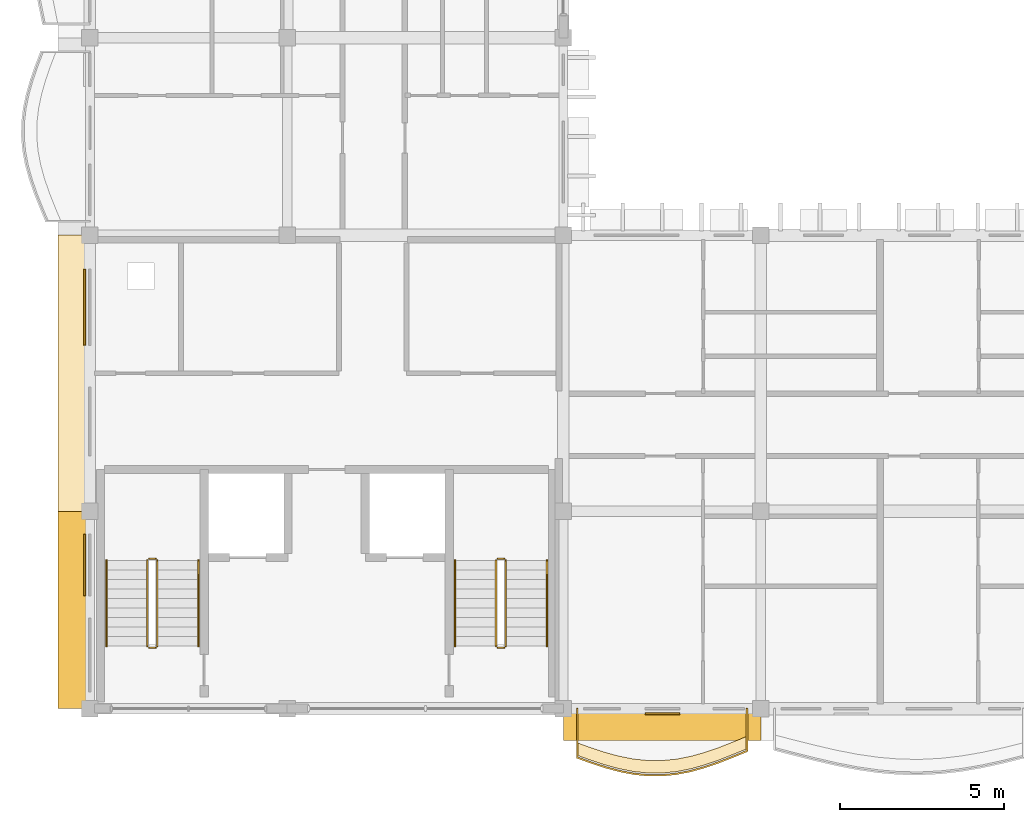
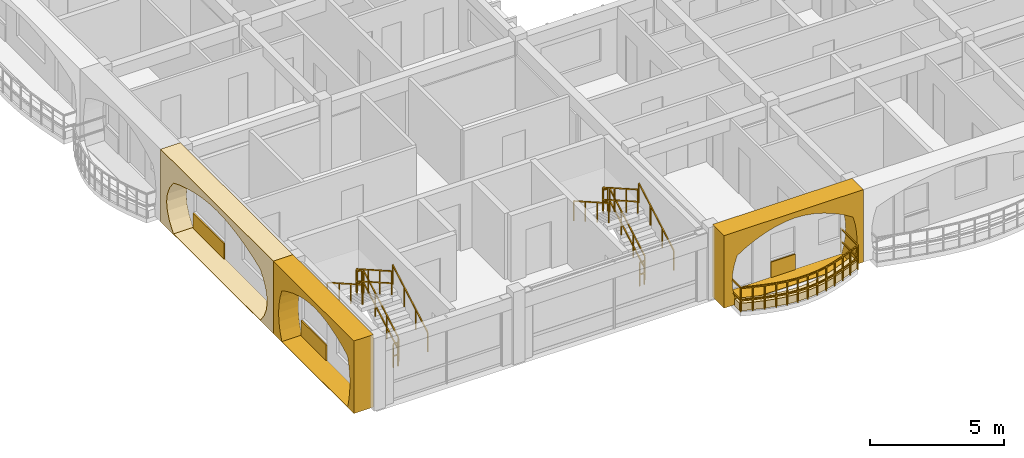
# One storey, part 47 of 68: 13 railings, 7 coverings.
"""IFC4 building model written with IfcOpenShell, lengths in metres."""

import ifcopenshell
import ifcopenshell.guid

model = None  # the IFC model being written
_history = None  # IfcOwnerHistory: only IFC2X3 demands one
_inside = {}  # id of a spatial element -> (the spatial element, [elements in it])
_under = {}  # id of a project, library or spatial element -> (it, [spatial elements below it])
_declared = {}  # id of a project -> (the project, [libraries it declares])
_typed = {}  # id of a type object -> (the type object, [elements of that type])
_made_of = {}  # id of a material, layer set ... -> (it, [elements and type objects made of it])


def new_model(schema):
    """Start an empty IFC model of exactly this schema.

    Asked for "IFC4X3", IfcOpenShell would pick the latest addendum, in which some entities
    have other attributes; the version numbers below select the first issue.
    IFC2X3 requires an IfcOwnerHistory on every rooted entity: one is made here for all.
    """
    global model, _history
    if schema == "IFC4X3":
        model = ifcopenshell.file(schema_version=(4, 3, 0, 0))
    else:
        model = ifcopenshell.file(schema=schema)
    _inside.clear()
    _under.clear()
    _declared.clear()
    _typed.clear()
    _made_of.clear()
    _history = None
    if model.schema == "IFC2X3":
        org = make("IfcOrganization", Name="unknown")
        user = make(
            "IfcPersonAndOrganization",
            ThePerson=make("IfcPerson", FamilyName="unknown"),
            TheOrganization=org,
        )
        app = make(
            "IfcApplication",
            ApplicationDeveloper=org,
            Version="unknown",
            ApplicationFullName="unknown",
            ApplicationIdentifier="unknown",
        )
        _history = make(
            "IfcOwnerHistory",
            OwningUser=user,
            OwningApplication=app,
            ChangeAction="ADDED",
            CreationDate=0,
        )
    return model


def make(cls, **values):
    """One entity of the class cls with the attributes given. An attribute that is None is left unset."""
    return model.create_entity(
        cls, **{name: value for name, value in values.items() if value is not None}
    )


def rooted(cls, **values):
    """An entity with a GlobalId (a new one), such as an element, a storey or a relation."""
    return make(cls, GlobalId=ifcopenshell.guid.new(), OwnerHistory=_history, **values)


def si_unit(unit_type, name, prefix=None):
    """IfcSIUnit, for example si_unit("LENGTHUNIT", "METRE", prefix="MILLI")."""
    return make("IfcSIUnit", UnitType=unit_type, Prefix=prefix, Name=name)


def assignment(units):
    """IfcUnitAssignment: the units of a project."""
    return None if units is None else make("IfcUnitAssignment", Units=units)


def point(xyz):
    """IfcCartesianPoint."""
    return None if xyz is None else make("IfcCartesianPoint", Coordinates=xyz)


def direction(xyz):
    """IfcDirection."""
    return None if xyz is None else make("IfcDirection", DirectionRatios=xyz)


def frame(location, z_axis=None, x_axis=None):
    """IfcAxis2Placement3D, a coordinate frame: its origin and axes. An axis left out is left unset."""
    return make(
        "IfcAxis2Placement3D",
        Location=point(location),
        Axis=direction(z_axis),
        RefDirection=direction(x_axis),
    )


def frame_2d(location, x_axis=None):
    """IfcAxis2Placement2D, a coordinate frame in the plane: its origin and x axis."""
    return make(
        "IfcAxis2Placement2D", Location=point(location), RefDirection=direction(x_axis)
    )


def origin():
    """The frame at (0, 0, 0) with its axes left unset."""
    return frame((0.0, 0.0, 0.0))


def origin_2d():
    """The frame at (0, 0) in the plane with its x axis left unset."""
    return frame_2d((0.0, 0.0))


def place(relative_to, where):
    """IfcLocalPlacement: puts the frame where relative to a parent placement (None: the world)."""
    return make(
        "IfcLocalPlacement", PlacementRelTo=relative_to, RelativePlacement=where
    )


def context(
    kind, dimensions, precision=None, world=None, true_north=None, identifier=None
):
    """IfcGeometricRepresentationContext, for example the 3D "Model" context."""
    return make(
        "IfcGeometricRepresentationContext",
        ContextIdentifier=identifier,
        ContextType=kind,
        CoordinateSpaceDimension=dimensions,
        Precision=precision,
        WorldCoordinateSystem=world,
        TrueNorth=true_north,
    )


def subcontext(parent, identifier, kind, view, scale=None):
    """IfcGeometricRepresentationSubContext, for example "Body" below "Model"."""
    return make(
        "IfcGeometricRepresentationSubContext",
        ContextIdentifier=identifier,
        ContextType=kind,
        ParentContext=parent,
        TargetScale=scale,
        TargetView=view,
    )


def project(units=None, contexts=None):
    """IfcProject with its units and contexts."""
    return rooted(
        "IfcProject",
        Name="project",
        RepresentationContexts=contexts,
        UnitsInContext=assignment(units),
    )


def spatial(cls, under=None, at=None, **own):
    """A site, building, storey or space (cls), placed at a placement, below another one or the project."""
    s = rooted(cls, ObjectPlacement=at, **own)
    if under is not None:
        _under.setdefault(under.id(), (under, []))[1].append(s)
    return s


def polyline(points):
    """IfcPolyline through the points."""
    return make("IfcPolyline", Points=[point(p) for p in points])


def profile(cls, at=None, kind="AREA", **sizes):
    """A parametric profile (cls). Its sizes go by their IFC names, for example OverallWidth=200.0."""
    return make(cls, ProfileType=kind, Position=at, **sizes)


def rectangle(**sizes):
    """IfcRectangleProfileDef."""
    return profile("IfcRectangleProfileDef", **sizes)


def outline(outer, holes=None, kind="AREA"):
    """IfcArbitraryClosedProfileDef: a profile drawn as a closed curve; with holes, ...WithVoids."""
    if holes is None:
        return make("IfcArbitraryClosedProfileDef", ProfileType=kind, OuterCurve=outer)
    return make(
        "IfcArbitraryProfileDefWithVoids",
        ProfileType=kind,
        OuterCurve=outer,
        InnerCurves=holes,
    )


def extrude(swept, where, along, depth):
    """IfcExtrudedAreaSolid: the profile swept, set in the frame where, extruded along a direction by depth."""
    return make(
        "IfcExtrudedAreaSolid",
        SweptArea=swept,
        Position=where,
        ExtrudedDirection=direction(along),
        Depth=depth,
    )


def shape(context_of_items, identifier, shape_type, items):
    """IfcShapeRepresentation: the items that make up one representation, for example the "Body"."""
    return make(
        "IfcShapeRepresentation",
        ContextOfItems=context_of_items,
        RepresentationIdentifier=identifier,
        RepresentationType=shape_type,
        Items=items,
    )


def material(Name=None, Category=None):
    """IfcMaterial."""
    return make("IfcMaterial", Name=Name, Category=Category)


def layer(
    of_material, thickness, ventilated=None, Name=None, Category=None, Priority=None
):
    """IfcMaterialLayer: one layer of a wall or slab, of a material (None: an air gap)."""
    return make(
        "IfcMaterialLayer",
        Material=of_material,
        LayerThickness=thickness,
        IsVentilated=ventilated,
        Name=Name,
        Category=Category,
        Priority=Priority,
    )


def layer_set(layers, Name=None):
    """IfcMaterialLayerSet."""
    return make("IfcMaterialLayerSet", MaterialLayers=layers, LayerSetName=Name)


def made_of(thing, what):
    """Note that an element or type object is made of a material, layer set ...; save() writes the relation."""
    if what is not None:
        _made_of.setdefault(what.id(), (what, []))[1].append(thing)
    return thing


def type_object(cls, material=None, **own):
    """A type object (cls), such as IfcWallType, which elements share."""
    return made_of(rooted(cls, **own), material)


def element(
    cls,
    number,
    at=None,
    inside=None,
    cuts=None,
    type_object=None,
    material=None,
    context=None,
    identifier="Body",
    shape_type=None,
    held_by="IfcProductDefinitionShape",
    body=None,
    shapes=None,
    **own,
):
    """One element of the class cls, such as IfcWall. Its Tag is "e" and its number.

    at: its placement. inside: the storey or other place that contains it. cuts: it is an
    opening in that element (IfcRelVoidsElement). A single representation is given by context,
    identifier, shape_type and body (its items); several are given by shapes. held_by: the class
    of the entity that holds the representations. save() writes the other relations.
    """
    e = rooted(cls, Tag="e%d" % number, ObjectPlacement=at, **own)
    if body is not None:
        shapes = [shape(context, identifier, shape_type, body)]
    if shapes is not None:
        e.Representation = make(held_by, Representations=shapes)
    if inside is not None:
        _inside.setdefault(inside.id(), (inside, []))[1].append(e)
    if cuts is not None:
        rooted(
            "IfcRelVoidsElement", RelatingBuildingElement=cuts, RelatedOpeningElement=e
        )
    if type_object is not None:
        _typed.setdefault(type_object.id(), (type_object, []))[1].append(e)
    return made_of(e, material)


def aggregate(whole, parts):
    """IfcRelAggregates: a whole, such as a stair, and the parts it consists of."""
    return rooted("IfcRelAggregates", RelatingObject=whole, RelatedObjects=parts)


def save(model, path):
    """Write the relations noted so far, then the file.

    IfcRelAggregates (storeys below a building ...), IfcRelContainedInSpatialStructure (elements
    in a storey), IfcRelDefinesByType, IfcRelAssociatesMaterial and IfcRelDeclares: one each for
    every whole, place, type object, material and project.
    """
    for whole, parts in _under.values():
        aggregate(whole, parts)
    for where, things in _inside.values():
        rooted(
            "IfcRelContainedInSpatialStructure",
            RelatedElements=things,
            RelatingStructure=where,
        )
    for kind, things in _typed.values():
        rooted("IfcRelDefinesByType", RelatedObjects=things, RelatingType=kind)
    for what, things in _made_of.values():
        rooted("IfcRelAssociatesMaterial", RelatedObjects=things, RelatingMaterial=what)
    for by, libraries in _declared.values():
        rooted("IfcRelDeclares", RelatingContext=by, RelatedDefinitions=libraries)
    model.write(path)


model = new_model("IFC4")

# Units and contexts
model_context = context("Model", 3, precision=1e-05, world=origin(), true_north=direction((0.0, 1.0)))
body_context = subcontext(model_context, "Body", "Model", "MODEL_VIEW")
ifc_project = project(units=[si_unit("LENGTHUNIT", "METRE"), si_unit("AREAUNIT", "SQUARE_METRE"), si_unit("VOLUMEUNIT", "CUBIC_METRE"), si_unit("PLANEANGLEUNIT", "RADIAN"), si_unit("MASSUNIT", "GRAM", prefix="KILO"), si_unit("THERMODYNAMICTEMPERATUREUNIT", "KELVIN")], contexts=[model_context])

# Site, building, storey
site_placement = place(None, origin())
site = spatial("IfcSite", under=ifc_project, at=site_placement, CompositionType="ELEMENT")
building_placement = place(site_placement, origin())
building = spatial("IfcBuilding", under=site, at=building_placement, Name="Thalorik Housing Commons", CompositionType="ELEMENT")
storey_placement = place(building_placement, frame((0.0, 0.0, 24.60009765625)))
storey = spatial("IfcBuildingStorey", under=building, at=storey_placement, Name="L07", CompositionType="ELEMENT", Elevation=24.60009765625)

# Coverings
ifc_material_1 = material(Name="Cobalt blue glazed ceramic facade tile panel", Category="masonry")
ifc_layer_1 = layer(ifc_material_1, 0.06005859375, Name="Cobalt blue glazed ceramic facade tile panel", Category="masonry")
ifc_layer_set_1 = layer_set([ifc_layer_1], Name="Cobalt blue glazed ceramic facade tile panel")
covering_type_1 = type_object("IfcCoveringType", Name="ARC-CLD-BLU-60", PredefinedType="CLADDING", material=ifc_layer_set_1)
covering_1_placement = place(storey_placement, frame((8.242431640625, 12.77001953125, 0.0498046875), z_axis=(0.0, 0.0, 1.0), x_axis=(0.0, -1.0, 0.0)))
element("IfcCovering", 1, at=covering_1_placement, inside=storey, type_object=covering_type_1, Name="L07 De Stijl Recessed Window Spandrel 4211", PredefinedType="CLADDING", context=body_context, shape_type="SweptSolid", body=[
    extrude(rectangle(XDim=1.8798828125, YDim=0.06005859375, at=origin_2d()), origin(), (0.0, 0.0, 1.0), 0.699951171875),
])
covering_2_placement = place(storey_placement, frame((25.8076171875, 8.242431640625, 0.0498046875), z_axis=(0.0, 0.0, 1.0), x_axis=(1.0, 0.0, 0.0)))
element("IfcCovering", 2, at=covering_2_placement, inside=storey, type_object=covering_type_1, Name="L07 De Stijl Recessed Window Spandrel 4213", PredefinedType="CLADDING", context=body_context, shape_type="SweptSolid", body=[
    extrude(rectangle(XDim=1.050048828125, YDim=0.06005859375, at=origin_2d()), origin(), (0.0, 0.0, 1.0), 0.699951171875),
])
ifc_material_2 = material(Name="Precast concrete C40/50", Category="concrete")
ifc_layer_2 = layer(ifc_material_2, 0.85009765625, Name="Precast concrete C40/50", Category="concrete")
ifc_layer_set_2 = layer_set([ifc_layer_2], Name="Precast concrete C40/50")
covering_type_2 = type_object("IfcCoveringType", Name="ARC-CLD-CUSH-850", PredefinedType="CLADDING", material=ifc_layer_set_2)
covering_3_placement = place(storey_placement, frame((7.8525390625, 18.60009765625, 0.0), z_axis=(0.0, 0.0, 1.0), x_axis=(0.0, -1.0, 0.0)))
element("IfcCovering", 3, at=covering_3_placement, inside=storey, type_object=covering_type_2, Name="L07 White Precast Curved Cushion Bay Frame 4208", PredefinedType="CLADDING", context=body_context, shape_type="SweptSolid", body=[
    extrude(outline(polyline([(-4.199951171875, 0.0), (4.199951171875, 0.0), (4.199951171875, 3.300048828125), (-4.199951171875, 3.300048828125), (-4.199951171875, 0.0)]), holes=[polyline([(3.239990234375, 0.02490234375), (3.523193359375, 0.410888671875), (3.693359375, 0.796630859375), (3.75, 1.1826171875), (3.693359375, 1.568359375), (3.523193359375, 1.9541015625), (3.239990234375, 2.340087890625), (2.699951171875, 2.552978515625), (2.159912109375, 2.720458984375), (1.6201171875, 2.85595703125), (1.080078125, 2.956787109375), (0.5400390625, 3.01904296875), (0.0, 3.0400390625), (-0.5400390625, 3.01904296875), (-1.080078125, 2.956787109375), (-1.6201171875, 2.85595703125), (-2.159912109375, 2.720458984375), (-2.699951171875, 2.552978515625), (-3.239990234375, 2.340087890625), (-3.523193359375, 1.9541015625), (-3.693359375, 1.568359375), (-3.75, 1.1826171875), (-3.693359375, 0.796630859375), (-3.523193359375, 0.410888671875), (-3.239990234375, 0.02490234375), (3.239990234375, 0.02490234375)])]), frame((0.0, 0.425048828125, 0.0), z_axis=(0.0, -1.0, 0.0), x_axis=(1.0, 0.0, 0.0)), (0.0, 0.0, 1.0), 0.85009765625),
])
covering_4_placement = place(storey_placement, frame((7.8525390625, 11.39990234375, 0.0), z_axis=(0.0, 0.0, 1.0), x_axis=(0.0, -1.0, 0.0)))
element("IfcCovering", 4, at=covering_4_placement, inside=storey, type_object=covering_type_2, Name="L07 White Precast Curved Cushion Bay Frame 4210", PredefinedType="CLADDING", context=body_context, shape_type="SweptSolid", body=[
    extrude(outline(polyline([(-3.0, 0.0), (3.0, 0.0), (3.0, 3.300048828125), (-3.0, 3.300048828125), (-3.0, 0.0)]), holes=[polyline([(2.5400390625, 0.02490234375), (2.63720703125, 0.410888671875), (2.6953125, 0.796630859375), (2.71484375, 1.1826171875), (2.6953125, 1.568359375), (2.63720703125, 1.9541015625), (2.5400390625, 2.340087890625), (2.131591796875, 2.552978515625), (1.723388671875, 2.720458984375), (1.31494140625, 2.85595703125), (0.90673828125, 2.956787109375), (0.498291015625, 3.01904296875), (0.090087890625, 3.0400390625), (-0.318359375, 3.01904296875), (-0.726806640625, 2.956787109375), (-1.135009765625, 2.85595703125), (-1.543212890625, 2.720458984375), (-1.95166015625, 2.552978515625), (-2.360107421875, 2.340087890625), (-2.4951171875, 1.9541015625), (-2.576171875, 1.568359375), (-2.603271484375, 1.1826171875), (-2.576171875, 0.796630859375), (-2.4951171875, 0.410888671875), (-2.360107421875, 0.02490234375), (2.5400390625, 0.02490234375)])]), frame((0.0, 0.425048828125, 0.0), z_axis=(0.0, -1.0, 0.0), x_axis=(1.0, 0.0, 0.0)), (0.0, 0.0, 1.0), 0.85009765625),
])
covering_5_placement = place(storey_placement, frame((25.800048828125, 7.8525390625, 0.0), z_axis=(0.0, 0.0, 1.0), x_axis=(1.0, 0.0, 0.0)))
element("IfcCovering", 5, at=covering_5_placement, inside=storey, type_object=covering_type_2, Name="L07 White Precast Curved Cushion Bay Frame 4212", PredefinedType="CLADDING", context=body_context, shape_type="SweptSolid", body=[
    extrude(outline(polyline([(-3.0, 0.0), (3.0, 0.0), (3.0, 3.300048828125), (-3.0, 3.300048828125), (-3.0, 0.0)]), holes=[polyline([(2.552490234375, 0.02490234375), (2.64697265625, 0.387451171875), (2.70361328125, 0.75), (2.72265625, 1.112548828125), (2.70361328125, 1.47509765625), (2.64697265625, 1.83740234375), (2.552490234375, 2.199951171875), (2.13720703125, 2.455810546875), (1.72216796875, 2.656494140625), (1.306884765625, 2.819091796875), (0.8916015625, 2.940185546875), (0.4765625, 3.014892578125), (0.061279296875, 3.0400390625), (-0.35400390625, 3.014892578125), (-0.769287109375, 2.940185546875), (-1.184326171875, 2.819091796875), (-1.599609375, 2.656494140625), (-2.014892578125, 2.455810546875), (-2.429931640625, 2.199951171875), (-2.55029296875, 1.83740234375), (-2.62255859375, 1.47509765625), (-2.646484375, 1.112548828125), (-2.62255859375, 0.75), (-2.55029296875, 0.387451171875), (-2.429931640625, 0.02490234375), (2.552490234375, 0.02490234375)])]), frame((0.0, 0.425048828125, 0.0), z_axis=(0.0, -1.0, 0.0), x_axis=(1.0, 0.0, 0.0)), (0.0, 0.0, 1.0), 0.85009765625),
])
ifc_material_3 = material(Name="Terracotta red mineral fibre-cement panel", Category="masonry")
ifc_layer_3 = layer(ifc_material_3, 0.054931640625, Name="Terracotta red mineral fibre-cement panel", Category="masonry")
ifc_layer_set_3 = layer_set([ifc_layer_3], Name="Terracotta red mineral fibre-cement panel")
covering_type_3 = type_object("IfcCoveringType", Name="ARC-CLD-RED-55", PredefinedType="CLADDING", material=ifc_layer_set_3)
covering_6_placement = place(storey_placement, frame((8.2451171875, 20.60498046875, 0.0498046875), z_axis=(0.0, 0.0, 1.0), x_axis=(0.0, -1.0, 0.0)))
element("IfcCovering", 6, at=covering_6_placement, inside=storey, type_object=covering_type_3, Name="L07 De Stijl Recessed Window Spandrel 4209", PredefinedType="CLADDING", context=body_context, shape_type="SweptSolid", body=[
    extrude(rectangle(XDim=2.320068359375, YDim=0.054931640625, at=origin_2d()), origin(), (0.0, 0.0, 1.0), 0.699951171875),
])
ifc_material_4 = material(Name="Planted vegetated substrate and terracotta trough", Category="masonry")
ifc_layer_4 = layer(ifc_material_4, 0.340087890625, Name="Planted vegetated substrate and terracotta trough", Category="masonry")
ifc_layer_set_4 = layer_set([ifc_layer_4], Name="Planted vegetated substrate and terracotta trough")
covering_type_4 = type_object("IfcCoveringType", Name="ARC-COV-PLANTER", PredefinedType="USERDEFINED", material=ifc_layer_set_4)
covering_7_placement = place(storey_placement, origin())
element("IfcCovering", 7, at=covering_7_placement, inside=storey, type_object=covering_type_4, Name="L07 Balcony Slab-Edge Planted Trough 5622", ObjectType="PLANTER", PredefinedType="USERDEFINED", context=body_context, shape_type="SweptSolid", body=[
    extrude(outline(polyline([(23.219970703125, 6.982177734375), (23.64990234375, 6.826904296875), (24.080078125, 6.686767578125), (24.510009765625, 6.571044921875), (24.93994140625, 6.48828125), (25.3701171875, 6.444580078125), (25.800048828125, 6.443603515625), (26.22998046875, 6.485595703125), (26.659912109375, 6.56884765625), (27.090087890625, 6.6884765625), (27.52001953125, 6.836669921875), (27.949951171875, 7.00439453125), (28.3798828125, 7.1806640625), (28.3798828125, 7.560546875), (27.949951171875, 7.38427734375), (27.52001953125, 7.216796875), (27.090087890625, 7.068359375), (26.659912109375, 6.948974609375), (26.22998046875, 6.865478515625), (25.800048828125, 6.823486328125), (25.3701171875, 6.82470703125), (24.93994140625, 6.868408203125), (24.510009765625, 6.951171875), (24.080078125, 7.066650390625), (23.64990234375, 7.20703125), (23.219970703125, 7.3623046875), (23.219970703125, 6.982177734375)])), origin(), (0.0, 0.0, 1.0), 0.33984375),
])

# Railings
ifc_material_5 = material(Name="Steel S355", Category="steel")
railing_type_1 = type_object("IfcRailingType", Name="ARC-RL-BAL-112", PredefinedType="BALUSTRADE", material=ifc_material_5)
railing_1_placement = place(storey_placement, frame((23.219970703125, 8.39990234375, 0.0)))
element("IfcRailing", 8, at=railing_1_placement, inside=storey, type_object=railing_type_1, Name="L07 Cushion Balcony Guardrail 306", PredefinedType="BALUSTRADE", context=body_context, shape_type="SweptSolid", body=[
    extrude(rectangle(XDim=0.050048828125, YDim=0.050048828125, at=origin_2d()), frame((0.0, 0.0, 1.09521484375), z_axis=(0.0, -1.0, 0.0), x_axis=(1.0, 0.0, 0.0)), (0.0, 0.0, 1.0), 1.48779296875),
    extrude(rectangle(XDim=0.050048828125, YDim=0.050048828125, at=origin_2d()), frame((0.0, 0.0, 0.53515625), z_axis=(0.0, -1.0, 0.0), x_axis=(1.0, 0.0, 0.0)), (0.0, 0.0, 1.0), 1.48779296875),
    extrude(rectangle(XDim=0.050048828125, YDim=0.050048828125, at=origin_2d()), frame((0.0, -1.48779296875, 1.09521484375), z_axis=(0.940710228543, -0.339211240843, 0.0), x_axis=(0.339211240843, 0.940710228543, 0.0)), (0.0, 0.0, 1.0), 0.45703125),
    extrude(rectangle(XDim=0.050048828125, YDim=0.050048828125, at=origin_2d()), frame((0.0, -1.48779296875, 0.53515625), z_axis=(0.940710228543, -0.339211240843, 0.0), x_axis=(0.339211240843, 0.940710228543, 0.0)), (0.0, 0.0, 1.0), 0.45703125),
    extrude(rectangle(XDim=0.050048828125, YDim=0.050048828125, at=origin_2d()), frame((0.429931640625, -1.642822265625, 1.09521484375), z_axis=(0.950660674231, -0.310232626381, 0.0), x_axis=(0.310232626381, 0.950660674231, 0.0)), (0.0, 0.0, 1.0), 0.452392578125),
    extrude(rectangle(XDim=0.050048828125, YDim=0.050048828125, at=origin_2d()), frame((0.429931640625, -1.642822265625, 0.53515625), z_axis=(0.950660674231, -0.310232626381, 0.0), x_axis=(0.310232626381, 0.950660674231, 0.0)), (0.0, 0.0, 1.0), 0.452392578125),
    extrude(rectangle(XDim=0.050048828125, YDim=0.050048828125, at=origin_2d()), frame((0.860107421875, -1.783203125, 1.09521484375), z_axis=(0.965769147918, -0.259403070395, 0.0), x_axis=(0.259403070395, 0.965769147918, 0.0)), (0.0, 0.0, 1.0), 0.445068359375),
    extrude(rectangle(XDim=0.050048828125, YDim=0.050048828125, at=origin_2d()), frame((0.860107421875, -1.783203125, 0.53515625), z_axis=(0.965769147918, -0.259403070395, 0.0), x_axis=(0.259403070395, 0.965769147918, 0.0)), (0.0, 0.0, 1.0), 0.445068359375),
    extrude(rectangle(XDim=0.050048828125, YDim=0.050048828125, at=origin_2d()), frame((1.2900390625, -1.898681640625, 1.09521484375), z_axis=(0.981866988542, -0.189571139185, 0.0), x_axis=(0.189571139185, 0.981866988542, 0.0)), (0.0, 0.0, 1.0), 0.43798828125),
    extrude(rectangle(XDim=0.050048828125, YDim=0.050048828125, at=origin_2d()), frame((1.2900390625, -1.898681640625, 0.53515625), z_axis=(0.981866988542, -0.189571139185, 0.0), x_axis=(0.189571139185, 0.981866988542, 0.0)), (0.0, 0.0, 1.0), 0.43798828125),
    extrude(rectangle(XDim=0.050048828125, YDim=0.050048828125, at=origin_2d()), frame((1.719970703125, -1.981689453125, 1.09521484375), z_axis=(0.994879427692, -0.101068908943, 0.0), x_axis=(0.101068908943, 0.994879427692, 0.0)), (0.0, 0.0, 1.0), 0.432373046875),
    extrude(rectangle(XDim=0.050048828125, YDim=0.050048828125, at=origin_2d()), frame((1.719970703125, -1.981689453125, 0.53515625), z_axis=(0.994879427692, -0.101068908943, 0.0), x_axis=(0.101068908943, 0.994879427692, 0.0)), (0.0, 0.0, 1.0), 0.432373046875),
    extrude(rectangle(XDim=0.050048828125, YDim=0.050048828125, at=origin_2d()), frame((2.150146484375, -2.025390625, 1.09521484375), z_axis=(0.999997420298, -0.002271430824, 0.0), x_axis=(0.002271430824, 0.999997420298, 0.0)), (0.0, 0.0, 1.0), 0.429931640625),
    extrude(rectangle(XDim=0.050048828125, YDim=0.050048828125, at=origin_2d()), frame((2.150146484375, -2.025390625, 0.53515625), z_axis=(0.999997420298, -0.002271430824, 0.0), x_axis=(0.002271430824, 0.999997420298, 0.0)), (0.0, 0.0, 1.0), 0.429931640625),
    extrude(rectangle(XDim=0.050048828125, YDim=0.050048828125, at=origin_2d()), frame((2.580078125, -2.0263671875, 1.09521484375), z_axis=(0.995263970634, 0.097209200993, 0.0), x_axis=(-0.097209200993, 0.995263970634, 0.0)), (0.0, 0.0, 1.0), 0.431884765625),
    extrude(rectangle(XDim=0.050048828125, YDim=0.050048828125, at=origin_2d()), frame((2.580078125, -2.0263671875, 0.53515625), z_axis=(0.995263970634, 0.097209200993, 0.0), x_axis=(-0.097209200993, 0.995263970634, 0.0)), (0.0, 0.0, 1.0), 0.431884765625),
    extrude(rectangle(XDim=0.050048828125, YDim=0.050048828125, at=origin_2d()), frame((3.010009765625, -1.984375, 1.09521484375), z_axis=(0.981763071343, 0.190108578835, 0.0), x_axis=(-0.190108578835, 0.981763071343, 0.0)), (0.0, 0.0, 1.0), 0.43798828125),
    extrude(rectangle(XDim=0.050048828125, YDim=0.050048828125, at=origin_2d()), frame((3.010009765625, -1.984375, 0.53515625), z_axis=(0.981763071343, 0.190108578835, 0.0), x_axis=(-0.190108578835, 0.981763071343, 0.0)), (0.0, 0.0, 1.0), 0.43798828125),
    extrude(rectangle(XDim=0.050048828125, YDim=0.050048828125, at=origin_2d()), frame((3.43994140625, -1.901123046875, 1.09521484375), z_axis=(0.963439532045, 0.267925863054, 0.0), x_axis=(-0.267925863054, 0.963439532045, 0.0)), (0.0, 0.0, 1.0), 0.446533203125),
    extrude(rectangle(XDim=0.050048828125, YDim=0.050048828125, at=origin_2d()), frame((3.43994140625, -1.901123046875, 0.53515625), z_axis=(0.963439532045, 0.267925863054, 0.0), x_axis=(-0.267925863054, 0.963439532045, 0.0)), (0.0, 0.0, 1.0), 0.446533203125),
    extrude(rectangle(XDim=0.050048828125, YDim=0.050048828125, at=origin_2d()), frame((3.8701171875, -1.781494140625, 1.09521484375), z_axis=(0.945412911086, 0.325874864866, 0.0), x_axis=(-0.325874864866, 0.945412911086, 0.0)), (0.0, 0.0, 1.0), 0.454833984375),
    extrude(rectangle(XDim=0.050048828125, YDim=0.050048828125, at=origin_2d()), frame((3.8701171875, -1.781494140625, 0.53515625), z_axis=(0.945412911086, 0.325874864866, 0.0), x_axis=(-0.325874864866, 0.945412911086, 0.0)), (0.0, 0.0, 1.0), 0.454833984375),
    extrude(rectangle(XDim=0.050048828125, YDim=0.050048828125, at=origin_2d()), frame((4.300048828125, -1.63330078125, 1.09521484375), z_axis=(0.931616942852, 0.363441703429, 0.0), x_axis=(-0.363441703429, 0.931616942852, 0.0)), (0.0, 0.0, 1.0), 0.46142578125),
    extrude(rectangle(XDim=0.050048828125, YDim=0.050048828125, at=origin_2d()), frame((4.300048828125, -1.63330078125, 0.53515625), z_axis=(0.931616942852, 0.363441703429, 0.0), x_axis=(-0.363441703429, 0.931616942852, 0.0)), (0.0, 0.0, 1.0), 0.46142578125),
    extrude(rectangle(XDim=0.050048828125, YDim=0.050048828125, at=origin_2d()), frame((4.72998046875, -1.465576171875, 1.09521484375), z_axis=(0.925253749386, 0.37934878311, 0.0), x_axis=(-0.37934878311, 0.925253749386, 0.0)), (0.0, 0.0, 1.0), 0.464599609375),
    extrude(rectangle(XDim=0.050048828125, YDim=0.050048828125, at=origin_2d()), frame((4.72998046875, -1.465576171875, 0.53515625), z_axis=(0.925253749386, 0.37934878311, 0.0), x_axis=(-0.37934878311, 0.925253749386, 0.0)), (0.0, 0.0, 1.0), 0.464599609375),
    extrude(rectangle(XDim=0.050048828125, YDim=0.050048828125, at=origin_2d()), frame((5.159912109375, -1.289306640625, 1.09521484375), z_axis=(0.0, 1.0, 0.0), x_axis=(-1.0, 0.0, 0.0)), (0.0, 0.0, 1.0), 1.289306640625),
    extrude(rectangle(XDim=0.050048828125, YDim=0.050048828125, at=origin_2d()), frame((5.159912109375, -1.289306640625, 0.53515625), z_axis=(0.0, 1.0, 0.0), x_axis=(-1.0, 0.0, 0.0)), (0.0, 0.0, 1.0), 1.289306640625),
    extrude(rectangle(XDim=0.0419921875, YDim=0.0419921875, at=origin_2d()), origin(), (0.0, 0.0, 1.0), 1.070068359375),
    extrude(rectangle(XDim=0.0419921875, YDim=0.0419921875, at=origin_2d()), frame((0.0, -1.48779296875, 0.0)), (0.0, 0.0, 1.0), 1.070068359375),
    extrude(rectangle(XDim=0.0419921875, YDim=0.0419921875, at=origin_2d()), frame((0.429931640625, -1.642822265625, 0.0)), (0.0, 0.0, 1.0), 1.070068359375),
    extrude(rectangle(XDim=0.0419921875, YDim=0.0419921875, at=origin_2d()), frame((0.860107421875, -1.783203125, 0.0)), (0.0, 0.0, 1.0), 1.070068359375),
    extrude(rectangle(XDim=0.0419921875, YDim=0.0419921875, at=origin_2d()), frame((1.2900390625, -1.898681640625, 0.0)), (0.0, 0.0, 1.0), 1.070068359375),
    extrude(rectangle(XDim=0.0419921875, YDim=0.0419921875, at=origin_2d()), frame((1.719970703125, -1.981689453125, 0.0)), (0.0, 0.0, 1.0), 1.070068359375),
    extrude(rectangle(XDim=0.0419921875, YDim=0.0419921875, at=origin_2d()), frame((2.150146484375, -2.025390625, 0.0)), (0.0, 0.0, 1.0), 1.070068359375),
    extrude(rectangle(XDim=0.0419921875, YDim=0.0419921875, at=origin_2d()), frame((2.580078125, -2.0263671875, 0.0)), (0.0, 0.0, 1.0), 1.070068359375),
    extrude(rectangle(XDim=0.0419921875, YDim=0.0419921875, at=origin_2d()), frame((3.010009765625, -1.984375, 0.0)), (0.0, 0.0, 1.0), 1.070068359375),
    extrude(rectangle(XDim=0.0419921875, YDim=0.0419921875, at=origin_2d()), frame((3.43994140625, -1.901123046875, 0.0)), (0.0, 0.0, 1.0), 1.070068359375),
    extrude(rectangle(XDim=0.0419921875, YDim=0.0419921875, at=origin_2d()), frame((3.8701171875, -1.781494140625, 0.0)), (0.0, 0.0, 1.0), 1.070068359375),
    extrude(rectangle(XDim=0.0419921875, YDim=0.0419921875, at=origin_2d()), frame((4.300048828125, -1.63330078125, 0.0)), (0.0, 0.0, 1.0), 1.070068359375),
    extrude(rectangle(XDim=0.0419921875, YDim=0.0419921875, at=origin_2d()), frame((4.72998046875, -1.465576171875, 0.0)), (0.0, 0.0, 1.0), 1.070068359375),
    extrude(rectangle(XDim=0.0419921875, YDim=0.0419921875, at=origin_2d()), frame((5.159912109375, -1.289306640625, 0.0)), (0.0, 0.0, 1.0), 1.070068359375),
    extrude(rectangle(XDim=0.0419921875, YDim=0.0419921875, at=origin_2d()), frame((5.159912109375, 0.0, 0.0)), (0.0, 0.0, 1.0), 1.070068359375),
])
railing_type_2 = type_object("IfcRailingType", Name="ARC-RL-STR-GRD110", PredefinedType="GUARDRAIL", material=ifc_material_5)
railing_2_placement = place(storey_placement, frame((10.449951171875, 10.300048828125, 0.164794921875)))
element("IfcRailing", 9, at=railing_2_placement, inside=storey, type_object=railing_type_2, Name="L07 ST-C1 stair guard 1", PredefinedType="GUARDRAIL", context=body_context, shape_type="SweptSolid", body=[
    extrude(rectangle(XDim=0.048095703125, YDim=0.048095703125, at=origin_2d()), frame((0.0, 0.0, 1.076171875), z_axis=(0.0, 0.869137319866, 0.494570843475), x_axis=(-1.0, 0.0, 0.0)), (0.0, 0.0, 1.0), 3.0029296875),
    extrude(rectangle(XDim=0.048095703125, YDim=0.048095703125, at=origin_2d()), frame((0.0, 0.0, 0.52587890625), z_axis=(0.0, 0.869137319866, 0.494570843475), x_axis=(-1.0, 0.0, 0.0)), (0.0, 0.0, 1.0), 3.0029296875),
    extrude(rectangle(XDim=0.0419921875, YDim=0.0419921875, at=origin_2d()), origin(), (0.0, 0.0, 1.0), 1.052001953125),
    extrude(rectangle(XDim=0.0419921875, YDim=0.0419921875, at=origin_2d()), frame((0.0, 0.869873046875, 0.4951171875)), (0.0, 0.0, 1.0), 1.052001953125),
    extrude(rectangle(XDim=0.0419921875, YDim=0.0419921875, at=origin_2d()), frame((0.0, 1.739990234375, 0.989990234375)), (0.0, 0.0, 1.0), 1.052001953125),
    extrude(rectangle(XDim=0.0419921875, YDim=0.0419921875, at=origin_2d()), frame((0.0, 2.60986328125, 1.485107421875)), (0.0, 0.0, 1.0), 1.052001953125),
])
railing_3_placement = place(storey_placement, frame((10.39990234375, 12.9599609375, 1.64990234375)))
element("IfcRailing", 10, at=railing_3_placement, inside=storey, type_object=railing_type_2, Name="L07 ST-C1 stair guard 2", PredefinedType="GUARDRAIL", context=body_context, shape_type="SweptSolid", body=[
    extrude(rectangle(XDim=0.048095703125, YDim=0.048095703125, at=origin_2d()), frame((0.0, 0.0, 1.076171875), z_axis=(-1.0, 0.0, 0.0), x_axis=(0.0, -1.0, 0.0)), (0.0, 0.0, 1.0), 0.199951171875),
    extrude(rectangle(XDim=0.048095703125, YDim=0.048095703125, at=origin_2d()), frame((0.0, 0.0, 0.52587890625), z_axis=(-1.0, 0.0, 0.0), x_axis=(0.0, -1.0, 0.0)), (0.0, 0.0, 1.0), 0.199951171875),
    extrude(rectangle(XDim=0.0419921875, YDim=0.0419921875, at=origin_2d()), origin(), (0.0, 0.0, 1.0), 1.052001953125),
    extrude(rectangle(XDim=0.0419921875, YDim=0.0419921875, at=origin_2d()), frame((-0.199951171875, 0.0, 0.0)), (0.0, 0.0, 1.0), 1.052001953125),
])
railing_4_placement = place(storey_placement, frame((10.14990234375, 12.909912109375, 1.81494140625)))
element("IfcRailing", 11, at=railing_4_placement, inside=storey, type_object=railing_type_2, Name="L07 ST-C1 stair guard 3", PredefinedType="GUARDRAIL", context=body_context, shape_type="SweptSolid", body=[
    extrude(rectangle(XDim=0.048095703125, YDim=0.048095703125, at=origin_2d()), frame((0.0, 0.0, 1.076171875), z_axis=(0.0, -0.869172267526, 0.494509422927), x_axis=(1.0, 0.0, 0.0)), (0.0, 0.0, 1.0), 3.002685546875),
    extrude(rectangle(XDim=0.048095703125, YDim=0.048095703125, at=origin_2d()), frame((0.0, 0.0, 0.52587890625), z_axis=(0.0, -0.869172267526, 0.494509422927), x_axis=(1.0, 0.0, 0.0)), (0.0, 0.0, 1.0), 3.002685546875),
    extrude(rectangle(XDim=0.0419921875, YDim=0.0419921875, at=origin_2d()), origin(), (0.0, 0.0, 1.0), 1.052001953125),
    extrude(rectangle(XDim=0.0419921875, YDim=0.0419921875, at=origin_2d()), frame((0.0, -0.869873046875, 0.494873046875)), (0.0, 0.0, 1.0), 1.052001953125),
    extrude(rectangle(XDim=0.0419921875, YDim=0.0419921875, at=origin_2d()), frame((0.0, -1.739990234375, 0.989990234375)), (0.0, 0.0, 1.0), 1.052001953125),
    extrude(rectangle(XDim=0.0419921875, YDim=0.0419921875, at=origin_2d()), frame((0.0, -2.60986328125, 1.48486328125)), (0.0, 0.0, 1.0), 1.052001953125),
])
railing_5_placement = place(storey_placement, frame((10.39990234375, 10.25, 0.0)))
element("IfcRailing", 12, at=railing_5_placement, inside=storey, type_object=railing_type_2, Name="L07 ST-C1 stair guard 4", PredefinedType="GUARDRAIL", context=body_context, shape_type="SweptSolid", body=[
    extrude(rectangle(XDim=0.048095703125, YDim=0.048095703125, at=origin_2d()), frame((0.0, 0.0, 1.076171875), z_axis=(-1.0, 0.0, 0.0), x_axis=(0.0, -1.0, 0.0)), (0.0, 0.0, 1.0), 0.199951171875),
    extrude(rectangle(XDim=0.048095703125, YDim=0.048095703125, at=origin_2d()), frame((0.0, 0.0, 0.52587890625), z_axis=(-1.0, 0.0, 0.0), x_axis=(0.0, -1.0, 0.0)), (0.0, 0.0, 1.0), 0.199951171875),
    extrude(rectangle(XDim=0.0419921875, YDim=0.0419921875, at=origin_2d()), origin(), (0.0, 0.0, 1.0), 1.052001953125),
    extrude(rectangle(XDim=0.0419921875, YDim=0.0419921875, at=origin_2d()), frame((-0.199951171875, 0.0, 0.0)), (0.0, 0.0, 1.0), 1.052001953125),
])
railing_6_placement = place(storey_placement, frame((21.050048828125, 10.300048828125, 0.164794921875)))
element("IfcRailing", 13, at=railing_6_placement, inside=storey, type_object=railing_type_2, Name="L07 ST-C2 stair guard 1", PredefinedType="GUARDRAIL", context=body_context, shape_type="SweptSolid", body=[
    extrude(rectangle(XDim=0.048095703125, YDim=0.048095703125, at=origin_2d()), frame((0.0, 0.0, 1.076171875), z_axis=(0.0, 0.869137319866, 0.494570843475), x_axis=(-1.0, 0.0, 0.0)), (0.0, 0.0, 1.0), 3.0029296875),
    extrude(rectangle(XDim=0.048095703125, YDim=0.048095703125, at=origin_2d()), frame((0.0, 0.0, 0.52587890625), z_axis=(0.0, 0.869137319866, 0.494570843475), x_axis=(-1.0, 0.0, 0.0)), (0.0, 0.0, 1.0), 3.0029296875),
    extrude(rectangle(XDim=0.0419921875, YDim=0.0419921875, at=origin_2d()), origin(), (0.0, 0.0, 1.0), 1.052001953125),
    extrude(rectangle(XDim=0.0419921875, YDim=0.0419921875, at=origin_2d()), frame((0.0, 0.869873046875, 0.4951171875)), (0.0, 0.0, 1.0), 1.052001953125),
    extrude(rectangle(XDim=0.0419921875, YDim=0.0419921875, at=origin_2d()), frame((0.0, 1.739990234375, 0.989990234375)), (0.0, 0.0, 1.0), 1.052001953125),
    extrude(rectangle(XDim=0.0419921875, YDim=0.0419921875, at=origin_2d()), frame((0.0, 2.60986328125, 1.485107421875)), (0.0, 0.0, 1.0), 1.052001953125),
])
railing_7_placement = place(storey_placement, frame((21.0, 12.9599609375, 1.64990234375)))
element("IfcRailing", 14, at=railing_7_placement, inside=storey, type_object=railing_type_2, Name="L07 ST-C2 stair guard 2", PredefinedType="GUARDRAIL", context=body_context, shape_type="SweptSolid", body=[
    extrude(rectangle(XDim=0.048095703125, YDim=0.048095703125, at=origin_2d()), frame((0.0, 0.0, 1.076171875), z_axis=(-1.0, 0.0, 0.0), x_axis=(0.0, -1.0, 0.0)), (0.0, 0.0, 1.0), 0.199951171875),
    extrude(rectangle(XDim=0.048095703125, YDim=0.048095703125, at=origin_2d()), frame((0.0, 0.0, 0.52587890625), z_axis=(-1.0, 0.0, 0.0), x_axis=(0.0, -1.0, 0.0)), (0.0, 0.0, 1.0), 0.199951171875),
    extrude(rectangle(XDim=0.0419921875, YDim=0.0419921875, at=origin_2d()), origin(), (0.0, 0.0, 1.0), 1.052001953125),
    extrude(rectangle(XDim=0.0419921875, YDim=0.0419921875, at=origin_2d()), frame((-0.199951171875, 0.0, 0.0)), (0.0, 0.0, 1.0), 1.052001953125),
])
railing_8_placement = place(storey_placement, frame((20.75, 12.909912109375, 1.81494140625)))
element("IfcRailing", 15, at=railing_8_placement, inside=storey, type_object=railing_type_2, Name="L07 ST-C2 stair guard 3", PredefinedType="GUARDRAIL", context=body_context, shape_type="SweptSolid", body=[
    extrude(rectangle(XDim=0.048095703125, YDim=0.048095703125, at=origin_2d()), frame((0.0, 0.0, 1.076171875), z_axis=(0.0, -0.869172267526, 0.494509422927), x_axis=(1.0, 0.0, 0.0)), (0.0, 0.0, 1.0), 3.002685546875),
    extrude(rectangle(XDim=0.048095703125, YDim=0.048095703125, at=origin_2d()), frame((0.0, 0.0, 0.52587890625), z_axis=(0.0, -0.869172267526, 0.494509422927), x_axis=(1.0, 0.0, 0.0)), (0.0, 0.0, 1.0), 3.002685546875),
    extrude(rectangle(XDim=0.0419921875, YDim=0.0419921875, at=origin_2d()), origin(), (0.0, 0.0, 1.0), 1.052001953125),
    extrude(rectangle(XDim=0.0419921875, YDim=0.0419921875, at=origin_2d()), frame((0.0, -0.869873046875, 0.494873046875)), (0.0, 0.0, 1.0), 1.052001953125),
    extrude(rectangle(XDim=0.0419921875, YDim=0.0419921875, at=origin_2d()), frame((0.0, -1.739990234375, 0.989990234375)), (0.0, 0.0, 1.0), 1.052001953125),
    extrude(rectangle(XDim=0.0419921875, YDim=0.0419921875, at=origin_2d()), frame((0.0, -2.60986328125, 1.48486328125)), (0.0, 0.0, 1.0), 1.052001953125),
])
railing_9_placement = place(storey_placement, frame((21.0, 10.25, 0.0)))
element("IfcRailing", 16, at=railing_9_placement, inside=storey, type_object=railing_type_2, Name="L07 ST-C2 stair guard 4", PredefinedType="GUARDRAIL", context=body_context, shape_type="SweptSolid", body=[
    extrude(rectangle(XDim=0.048095703125, YDim=0.048095703125, at=origin_2d()), frame((0.0, 0.0, 1.076171875), z_axis=(-1.0, 0.0, 0.0), x_axis=(0.0, -1.0, 0.0)), (0.0, 0.0, 1.0), 0.199951171875),
    extrude(rectangle(XDim=0.048095703125, YDim=0.048095703125, at=origin_2d()), frame((0.0, 0.0, 0.52587890625), z_axis=(-1.0, 0.0, 0.0), x_axis=(0.0, -1.0, 0.0)), (0.0, 0.0, 1.0), 0.199951171875),
    extrude(rectangle(XDim=0.0419921875, YDim=0.0419921875, at=origin_2d()), origin(), (0.0, 0.0, 1.0), 1.052001953125),
    extrude(rectangle(XDim=0.0419921875, YDim=0.0419921875, at=origin_2d()), frame((-0.199951171875, 0.0, 0.0)), (0.0, 0.0, 1.0), 1.052001953125),
])
railing_type_3 = type_object("IfcRailingType", Name="ARC-RL-STR-HR092", PredefinedType="HANDRAIL", material=ifc_material_5)
railing_10_placement = place(storey_placement, frame((11.699951171875, 10.300048828125, 0.164794921875)))
element("IfcRailing", 17, at=railing_10_placement, inside=storey, type_object=railing_type_3, Name="L07 ST-C1 stair handrail 1", PredefinedType="HANDRAIL", context=body_context, shape_type="SweptSolid", body=[
    extrude(rectangle(XDim=0.048095703125, YDim=0.048095703125, at=origin_2d()), frame((0.0, 0.0, 0.89599609375), z_axis=(0.0, 0.869137319866, 0.494570843475), x_axis=(-1.0, 0.0, 0.0)), (0.0, 0.0, 1.0), 3.0029296875),
    extrude(rectangle(XDim=0.0419921875, YDim=0.0419921875, at=origin_2d()), origin(), (0.0, 0.0, 1.0), 0.871826171875),
    extrude(rectangle(XDim=0.0419921875, YDim=0.0419921875, at=origin_2d()), frame((0.0, 0.869873046875, 0.4951171875)), (0.0, 0.0, 1.0), 0.871826171875),
    extrude(rectangle(XDim=0.0419921875, YDim=0.0419921875, at=origin_2d()), frame((0.0, 1.739990234375, 0.989990234375)), (0.0, 0.0, 1.0), 0.871826171875),
    extrude(rectangle(XDim=0.0419921875, YDim=0.0419921875, at=origin_2d()), frame((0.0, 2.60986328125, 1.485107421875)), (0.0, 0.0, 1.0), 0.871826171875),
])
railing_11_placement = place(storey_placement, frame((8.89990234375, 12.909912109375, 1.81494140625)))
element("IfcRailing", 18, at=railing_11_placement, inside=storey, type_object=railing_type_3, Name="L07 ST-C1 stair handrail 2", PredefinedType="HANDRAIL", context=body_context, shape_type="SweptSolid", body=[
    extrude(rectangle(XDim=0.048095703125, YDim=0.048095703125, at=origin_2d()), frame((0.0, 0.0, 0.89599609375), z_axis=(0.0, -0.869172267526, 0.494509422927), x_axis=(1.0, 0.0, 0.0)), (0.0, 0.0, 1.0), 3.002685546875),
    extrude(rectangle(XDim=0.0419921875, YDim=0.0419921875, at=origin_2d()), origin(), (0.0, 0.0, 1.0), 0.871826171875),
    extrude(rectangle(XDim=0.0419921875, YDim=0.0419921875, at=origin_2d()), frame((0.0, -0.869873046875, 0.494873046875)), (0.0, 0.0, 1.0), 0.871826171875),
    extrude(rectangle(XDim=0.0419921875, YDim=0.0419921875, at=origin_2d()), frame((0.0, -1.739990234375, 0.989990234375)), (0.0, 0.0, 1.0), 0.871826171875),
    extrude(rectangle(XDim=0.0419921875, YDim=0.0419921875, at=origin_2d()), frame((0.0, -2.60986328125, 1.48486328125)), (0.0, 0.0, 1.0), 0.871826171875),
])
railing_12_placement = place(storey_placement, frame((22.300048828125, 10.300048828125, 0.164794921875)))
element("IfcRailing", 19, at=railing_12_placement, inside=storey, type_object=railing_type_3, Name="L07 ST-C2 stair handrail 1", PredefinedType="HANDRAIL", context=body_context, shape_type="SweptSolid", body=[
    extrude(rectangle(XDim=0.048095703125, YDim=0.048095703125, at=origin_2d()), frame((0.0, 0.0, 0.89599609375), z_axis=(0.0, 0.869137319866, 0.494570843475), x_axis=(-1.0, 0.0, 0.0)), (0.0, 0.0, 1.0), 3.0029296875),
    extrude(rectangle(XDim=0.0419921875, YDim=0.0419921875, at=origin_2d()), origin(), (0.0, 0.0, 1.0), 0.871826171875),
    extrude(rectangle(XDim=0.0419921875, YDim=0.0419921875, at=origin_2d()), frame((0.0, 0.869873046875, 0.4951171875)), (0.0, 0.0, 1.0), 0.871826171875),
    extrude(rectangle(XDim=0.0419921875, YDim=0.0419921875, at=origin_2d()), frame((0.0, 1.739990234375, 0.989990234375)), (0.0, 0.0, 1.0), 0.871826171875),
    extrude(rectangle(XDim=0.0419921875, YDim=0.0419921875, at=origin_2d()), frame((0.0, 2.60986328125, 1.485107421875)), (0.0, 0.0, 1.0), 0.871826171875),
])
railing_13_placement = place(storey_placement, frame((19.5, 12.909912109375, 1.81494140625)))
element("IfcRailing", 20, at=railing_13_placement, inside=storey, type_object=railing_type_3, Name="L07 ST-C2 stair handrail 2", PredefinedType="HANDRAIL", context=body_context, shape_type="SweptSolid", body=[
    extrude(rectangle(XDim=0.048095703125, YDim=0.048095703125, at=origin_2d()), frame((0.0, 0.0, 0.89599609375), z_axis=(0.0, -0.869172267526, 0.494509422927), x_axis=(1.0, 0.0, 0.0)), (0.0, 0.0, 1.0), 3.002685546875),
    extrude(rectangle(XDim=0.0419921875, YDim=0.0419921875, at=origin_2d()), origin(), (0.0, 0.0, 1.0), 0.871826171875),
    extrude(rectangle(XDim=0.0419921875, YDim=0.0419921875, at=origin_2d()), frame((0.0, -0.869873046875, 0.494873046875)), (0.0, 0.0, 1.0), 0.871826171875),
    extrude(rectangle(XDim=0.0419921875, YDim=0.0419921875, at=origin_2d()), frame((0.0, -1.739990234375, 0.989990234375)), (0.0, 0.0, 1.0), 0.871826171875),
    extrude(rectangle(XDim=0.0419921875, YDim=0.0419921875, at=origin_2d()), frame((0.0, -2.60986328125, 1.48486328125)), (0.0, 0.0, 1.0), 0.871826171875),
])

save(model, "model.ifc")
